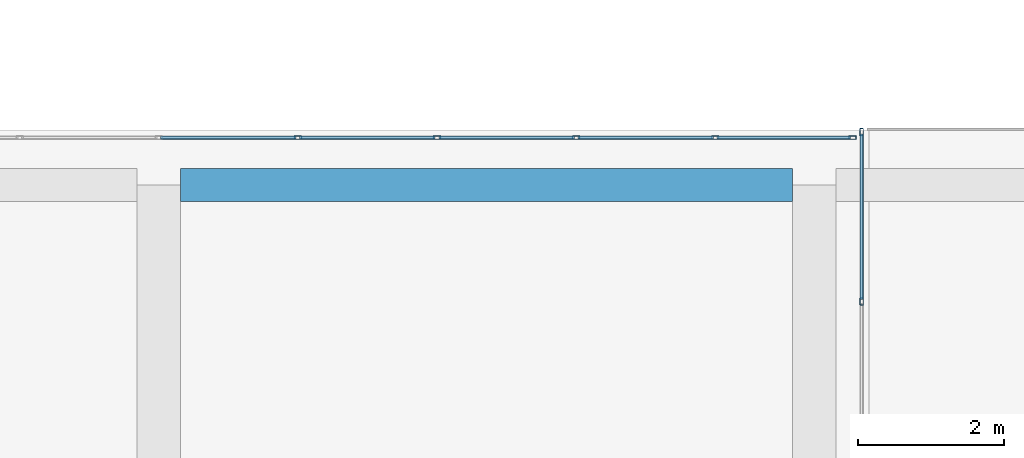
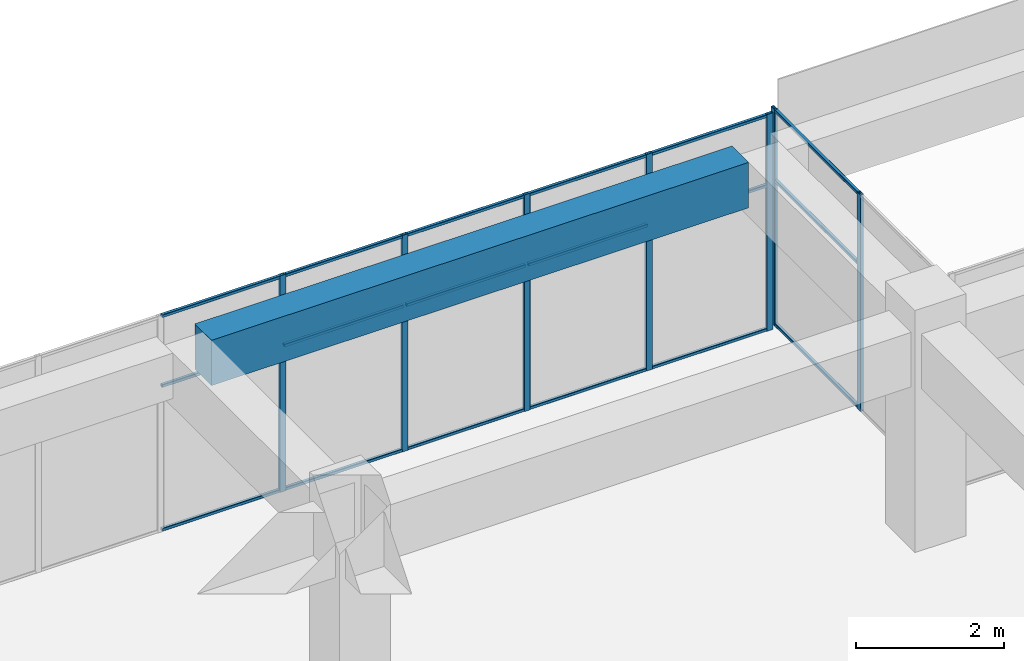
# One storey, part 43 of 72: 25 members, 1 beam, 2 elements without a shape of their own.
"""IFC4 building model written with IfcOpenShell, lengths in metres."""

from ifc_helpers import new_model, si_unit, direction, frame, origin, origin_2d, place, context, subcontext, project, spatial, rectangle, hollow_rectangle, extrude, material, layer, layer_set, material_profile, profile_set, type_object, element, aggregate, save


model = new_model("IFC4")

# Units and contexts
model_context = context("Model", 3, precision=1e-05, world=origin(), true_north=direction((0.0, 1.0)))
body_context = subcontext(model_context, "Body", "Model", "MODEL_VIEW")
ifc_project = project(units=[si_unit("LENGTHUNIT", "METRE"), si_unit("AREAUNIT", "SQUARE_METRE"), si_unit("VOLUMEUNIT", "CUBIC_METRE"), si_unit("PLANEANGLEUNIT", "RADIAN"), si_unit("MASSUNIT", "GRAM", prefix="KILO")], contexts=[model_context])

# Site, building, storey
site_placement = place(None, origin())
site = spatial("IfcSite", under=ifc_project, at=site_placement, CompositionType="ELEMENT")
building_placement = place(site_placement, origin())
building = spatial("IfcBuilding", under=site, at=building_placement, Name="Tuart Plaza Theatre", CompositionType="ELEMENT")
storey_placement = place(building_placement, frame((0.0, 0.0, 13.5)))
storey = spatial("IfcBuildingStorey", under=building, at=storey_placement, Name="L03", CompositionType="ELEMENT", Elevation=13.5)

# Beam
ifc_material_1 = material(Name="Concrete N40 (40 MPa)", Category="concrete")
ifc_material_profile_1 = material_profile(ifc_material_1, rectangle(XDim=0.449951171875, YDim=0.75, at=origin_2d()), Name="BEAM 450x750 Concrete N40 (40 MPa)")
ifc_profile_set_1 = profile_set([ifc_material_profile_1], Name="Concrete N40 (40 MPa)")
beam_type = type_object("IfcBeamType", Name="BEAM 450x750 Concrete N40 (40 MPa)", PredefinedType="BEAM", material=ifc_profile_set_1)
beam_placement = place(storey_placement, frame((123.300048828125, 96.5, 3.205078125), z_axis=(1.0, 0.0, 0.0), x_axis=(0.0, 1.0, 0.0)))
element("IfcBeam", 1, at=beam_placement, inside=storey, type_object=beam_type, Name="RB180", PredefinedType="BEAM", context=body_context, shape_type="SweptSolid", body=[
    extrude(rectangle(XDim=0.449951171875, YDim=0.75, at=origin_2d()), origin(), (0.0, 0.0, 1.0), 8.39990234375),
])

# Curtain wall, members
ifc_material_2 = material(Name="Aluminium and glass", Category="aluminium")
ifc_layer = layer(ifc_material_2, 0.10009765625)
ifc_layer_set = layer_set([ifc_layer], Name="CURTAIN WALL 2000 module")
curtain_wall_type = type_object("IfcCurtainWallType", Name="CURTAIN WALL 2000 module", PredefinedType="NOTDEFINED", material=ifc_layer_set)
curtain_wall_1_placement = place(storey_placement, origin())
curtain_wall_1 = element("IfcCurtainWall", 2, at=curtain_wall_1_placement, inside=storey, type_object=curtain_wall_type, Name="CW71", PredefinedType="NOTDEFINED")
ifc_material_3 = material(Name="Aluminium 6063-T5", Category="aluminium")
ifc_material_profile_2 = material_profile(ifc_material_3, hollow_rectangle(XDim=0.050048828125, YDim=0.10009765625, WallThickness=0.00390625, InnerFilletRadius=0.00390625, OuterFilletRadius=0.008056640625, at=origin_2d()), Name="RHS 100x50x4")
ifc_profile_set_2 = profile_set([ifc_material_profile_2], Name="Aluminium 6063-T5")
member_type_1 = type_object("IfcMemberType", Name="MULLION RHS 100x50x4", PredefinedType="MULLION", material=ifc_profile_set_2)
member_1_placement = place(storey_placement, frame((132.64990234375, 94.89990234375, 0.0), z_axis=(0.0, 0.0, 1.0), x_axis=(-1.0, 0.0, 0.0)))
member_1 = element("IfcMember", 3, at=member_1_placement, type_object=member_type_1, Name="CW71 mullion 2", PredefinedType="MULLION", context=body_context, shape_type="SweptSolid", body=[
    extrude(hollow_rectangle(XDim=0.050048828125, YDim=0.10009765625, WallThickness=0.00390625, InnerFilletRadius=0.00390625, OuterFilletRadius=0.008056640625, at=origin_2d()), origin(), (0.0, 0.0, 1.0), 3.580078125),
])
member_2_placement = place(storey_placement, frame((132.64990234375, 97.22509765625, 0.0), z_axis=(0.0, 0.0, 1.0), x_axis=(-1.0, 0.0, 0.0)))
member_2 = element("IfcMember", 4, at=member_2_placement, type_object=member_type_1, Name="CW71 mullion 3", PredefinedType="MULLION", context=body_context, shape_type="SweptSolid", body=[
    extrude(hollow_rectangle(XDim=0.050048828125, YDim=0.10009765625, WallThickness=0.00390625, InnerFilletRadius=0.00390625, OuterFilletRadius=0.008056640625, at=origin_2d()), origin(), (0.0, 0.0, 1.0), 3.580078125),
])

curtain_wall_2_placement = place(storey_placement, origin())
curtain_wall_2 = element("IfcCurtainWall", 5, at=curtain_wall_2_placement, inside=storey, type_object=curtain_wall_type, Name="CW72", PredefinedType="NOTDEFINED")
member_3_placement = place(storey_placement, frame((132.52490234375, 97.14990234375, 0.0), z_axis=(0.0, 0.0, 1.0), x_axis=(0.0, -1.0, 0.0)))
member_3 = element("IfcMember", 6, at=member_3_placement, type_object=member_type_1, Name="CW72 mullion 1", PredefinedType="MULLION", context=body_context, shape_type="SweptSolid", body=[
    extrude(hollow_rectangle(XDim=0.050048828125, YDim=0.10009765625, WallThickness=0.00390625, InnerFilletRadius=0.00390625, OuterFilletRadius=0.008056640625, at=origin_2d()), origin(), (0.0, 0.0, 1.0), 3.580078125),
])
member_4_placement = place(storey_placement, frame((130.639892578125, 97.14990234375, 0.0), z_axis=(0.0, 0.0, 1.0), x_axis=(0.0, -1.0, 0.0)))
member_4 = element("IfcMember", 7, at=member_4_placement, type_object=member_type_1, Name="CW72 mullion 2", PredefinedType="MULLION", context=body_context, shape_type="SweptSolid", body=[
    extrude(hollow_rectangle(XDim=0.050048828125, YDim=0.10009765625, WallThickness=0.00390625, InnerFilletRadius=0.00390625, OuterFilletRadius=0.008056640625, at=origin_2d()), origin(), (0.0, 0.0, 1.0), 3.580078125),
])
member_5_placement = place(storey_placement, frame((128.72998046875, 97.14990234375, 0.0), z_axis=(0.0, 0.0, 1.0), x_axis=(0.0, -1.0, 0.0)))
member_5 = element("IfcMember", 8, at=member_5_placement, type_object=member_type_1, Name="CW72 mullion 3", PredefinedType="MULLION", context=body_context, shape_type="SweptSolid", body=[
    extrude(hollow_rectangle(XDim=0.050048828125, YDim=0.10009765625, WallThickness=0.00390625, InnerFilletRadius=0.00390625, OuterFilletRadius=0.008056640625, at=origin_2d()), origin(), (0.0, 0.0, 1.0), 3.580078125),
])
member_6_placement = place(storey_placement, frame((126.820068359375, 97.14990234375, 0.0), z_axis=(0.0, 0.0, 1.0), x_axis=(0.0, -1.0, 0.0)))
member_6 = element("IfcMember", 9, at=member_6_placement, type_object=member_type_1, Name="CW72 mullion 4", PredefinedType="MULLION", context=body_context, shape_type="SweptSolid", body=[
    extrude(hollow_rectangle(XDim=0.050048828125, YDim=0.10009765625, WallThickness=0.00390625, InnerFilletRadius=0.00390625, OuterFilletRadius=0.008056640625, at=origin_2d()), origin(), (0.0, 0.0, 1.0), 3.580078125),
])
member_7_placement = place(storey_placement, frame((124.909912109375, 97.14990234375, 0.0), z_axis=(0.0, 0.0, 1.0), x_axis=(0.0, -1.0, 0.0)))
member_7 = element("IfcMember", 10, at=member_7_placement, type_object=member_type_1, Name="CW72 mullion 5", PredefinedType="MULLION", context=body_context, shape_type="SweptSolid", body=[
    extrude(hollow_rectangle(XDim=0.050048828125, YDim=0.10009765625, WallThickness=0.00390625, InnerFilletRadius=0.00390625, OuterFilletRadius=0.008056640625, at=origin_2d()), origin(), (0.0, 0.0, 1.0), 3.580078125),
])

# Member
ifc_material_4 = material(Name="Aluminium 6063-T5", Category="aluminium")
ifc_material_profile_3 = material_profile(ifc_material_4, hollow_rectangle(XDim=0.050048828125, YDim=0.050048828125, WallThickness=0.00390625, InnerFilletRadius=0.00390625, OuterFilletRadius=0.008056640625, at=origin_2d()), Name="RHS 50x50x4")
ifc_profile_set_3 = profile_set([ifc_material_profile_3], Name="Aluminium 6063-T5")
member_type_2 = type_object("IfcMemberType", Name="TRANSOM RHS 50x50x4", PredefinedType="USERDEFINED", material=ifc_profile_set_3)
member_8_placement = place(storey_placement, frame((132.64990234375, 94.925048828125, 0.02490234375), z_axis=(0.0, 1.0, 0.0), x_axis=(-1.0, 0.0, 0.0)))
member_8 = element("IfcMember", 11, at=member_8_placement, type_object=member_type_2, Name="CW71 transom 2.1", ObjectType="TRANSOM", PredefinedType="USERDEFINED", context=body_context, shape_type="SweptSolid", body=[
    extrude(hollow_rectangle(XDim=0.050048828125, YDim=0.050048828125, WallThickness=0.00390625, InnerFilletRadius=0.00390625, OuterFilletRadius=0.008056640625, at=origin_2d()), origin(), (0.0, 0.0, 1.0), 2.27490234375),
])

member_9_placement = place(storey_placement, frame((132.64990234375, 94.925048828125, 2.39990234375), z_axis=(0.0, 1.0, 0.0), x_axis=(-1.0, 0.0, 0.0)))
member_9 = element("IfcMember", 12, at=member_9_placement, type_object=member_type_2, Name="CW71 transom 2.2", ObjectType="TRANSOM", PredefinedType="USERDEFINED", context=body_context, shape_type="SweptSolid", body=[
    extrude(hollow_rectangle(XDim=0.050048828125, YDim=0.050048828125, WallThickness=0.00390625, InnerFilletRadius=0.00390625, OuterFilletRadius=0.008056640625, at=origin_2d()), origin(), (0.0, 0.0, 1.0), 2.27490234375),
])

member_10_placement = place(storey_placement, frame((132.64990234375, 94.925048828125, 3.554931640625), z_axis=(0.0, 1.0, 0.0), x_axis=(-1.0, 0.0, 0.0)))
member_10 = element("IfcMember", 13, at=member_10_placement, type_object=member_type_2, Name="CW71 transom 2.3", ObjectType="TRANSOM", PredefinedType="USERDEFINED", context=body_context, shape_type="SweptSolid", body=[
    extrude(hollow_rectangle(XDim=0.050048828125, YDim=0.050048828125, WallThickness=0.00390625, InnerFilletRadius=0.00390625, OuterFilletRadius=0.008056640625, at=origin_2d()), origin(), (0.0, 0.0, 1.0), 2.27490234375),
])

aggregate(curtain_wall_1, [member_1, member_2, member_8, member_9, member_10])

member_11_placement = place(storey_placement, frame((132.5, 97.14990234375, 0.02490234375), z_axis=(-1.0, 0.0, 0.0), x_axis=(0.0, -1.0, 0.0)))
member_11 = element("IfcMember", 14, at=member_11_placement, type_object=member_type_2, Name="CW72 transom 1.1", ObjectType="TRANSOM", PredefinedType="USERDEFINED", context=body_context, shape_type="SweptSolid", body=[
    extrude(hollow_rectangle(XDim=0.050048828125, YDim=0.050048828125, WallThickness=0.00390625, InnerFilletRadius=0.00390625, OuterFilletRadius=0.008056640625, at=origin_2d()), origin(), (0.0, 0.0, 1.0), 1.8349609375),
])

member_12_placement = place(storey_placement, frame((132.5, 97.14990234375, 2.39990234375), z_axis=(-1.0, 0.0, 0.0), x_axis=(0.0, -1.0, 0.0)))
member_12 = element("IfcMember", 15, at=member_12_placement, type_object=member_type_2, Name="CW72 transom 1.2", ObjectType="TRANSOM", PredefinedType="USERDEFINED", context=body_context, shape_type="SweptSolid", body=[
    extrude(hollow_rectangle(XDim=0.050048828125, YDim=0.050048828125, WallThickness=0.00390625, InnerFilletRadius=0.00390625, OuterFilletRadius=0.008056640625, at=origin_2d()), origin(), (0.0, 0.0, 1.0), 1.8349609375),
])

member_13_placement = place(storey_placement, frame((132.5, 97.14990234375, 3.554931640625), z_axis=(-1.0, 0.0, 0.0), x_axis=(0.0, -1.0, 0.0)))
member_13 = element("IfcMember", 16, at=member_13_placement, type_object=member_type_2, Name="CW72 transom 1.3", ObjectType="TRANSOM", PredefinedType="USERDEFINED", context=body_context, shape_type="SweptSolid", body=[
    extrude(hollow_rectangle(XDim=0.050048828125, YDim=0.050048828125, WallThickness=0.00390625, InnerFilletRadius=0.00390625, OuterFilletRadius=0.008056640625, at=origin_2d()), origin(), (0.0, 0.0, 1.0), 1.8349609375),
])

member_14_placement = place(storey_placement, frame((130.614990234375, 97.14990234375, 0.02490234375), z_axis=(-1.0, 0.0, 0.0), x_axis=(0.0, -1.0, 0.0)))
member_14 = element("IfcMember", 17, at=member_14_placement, type_object=member_type_2, Name="CW72 transom 2.1", ObjectType="TRANSOM", PredefinedType="USERDEFINED", context=body_context, shape_type="SweptSolid", body=[
    extrude(hollow_rectangle(XDim=0.050048828125, YDim=0.050048828125, WallThickness=0.00390625, InnerFilletRadius=0.00390625, OuterFilletRadius=0.008056640625, at=origin_2d()), origin(), (0.0, 0.0, 1.0), 1.860107421875),
])

member_15_placement = place(storey_placement, frame((130.614990234375, 97.14990234375, 2.39990234375), z_axis=(-1.0, 0.0, 0.0), x_axis=(0.0, -1.0, 0.0)))
member_15 = element("IfcMember", 18, at=member_15_placement, type_object=member_type_2, Name="CW72 transom 2.2", ObjectType="TRANSOM", PredefinedType="USERDEFINED", context=body_context, shape_type="SweptSolid", body=[
    extrude(hollow_rectangle(XDim=0.050048828125, YDim=0.050048828125, WallThickness=0.00390625, InnerFilletRadius=0.00390625, OuterFilletRadius=0.008056640625, at=origin_2d()), origin(), (0.0, 0.0, 1.0), 1.860107421875),
])

member_16_placement = place(storey_placement, frame((130.614990234375, 97.14990234375, 3.554931640625), z_axis=(-1.0, 0.0, 0.0), x_axis=(0.0, -1.0, 0.0)))
member_16 = element("IfcMember", 19, at=member_16_placement, type_object=member_type_2, Name="CW72 transom 2.3", ObjectType="TRANSOM", PredefinedType="USERDEFINED", context=body_context, shape_type="SweptSolid", body=[
    extrude(hollow_rectangle(XDim=0.050048828125, YDim=0.050048828125, WallThickness=0.00390625, InnerFilletRadius=0.00390625, OuterFilletRadius=0.008056640625, at=origin_2d()), origin(), (0.0, 0.0, 1.0), 1.860107421875),
])

member_17_placement = place(storey_placement, frame((128.705078125, 97.14990234375, 0.02490234375), z_axis=(-1.0, 0.0, 0.0), x_axis=(0.0, -1.0, 0.0)))
member_17 = element("IfcMember", 20, at=member_17_placement, type_object=member_type_2, Name="CW72 transom 3.1", ObjectType="TRANSOM", PredefinedType="USERDEFINED", context=body_context, shape_type="SweptSolid", body=[
    extrude(hollow_rectangle(XDim=0.050048828125, YDim=0.050048828125, WallThickness=0.00390625, InnerFilletRadius=0.00390625, OuterFilletRadius=0.008056640625, at=origin_2d()), origin(), (0.0, 0.0, 1.0), 1.860107421875),
])

member_18_placement = place(storey_placement, frame((128.705078125, 97.14990234375, 2.39990234375), z_axis=(-1.0, 0.0, 0.0), x_axis=(0.0, -1.0, 0.0)))
member_18 = element("IfcMember", 21, at=member_18_placement, type_object=member_type_2, Name="CW72 transom 3.2", ObjectType="TRANSOM", PredefinedType="USERDEFINED", context=body_context, shape_type="SweptSolid", body=[
    extrude(hollow_rectangle(XDim=0.050048828125, YDim=0.050048828125, WallThickness=0.00390625, InnerFilletRadius=0.00390625, OuterFilletRadius=0.008056640625, at=origin_2d()), origin(), (0.0, 0.0, 1.0), 1.860107421875),
])

member_19_placement = place(storey_placement, frame((128.705078125, 97.14990234375, 3.554931640625), z_axis=(-1.0, 0.0, 0.0), x_axis=(0.0, -1.0, 0.0)))
member_19 = element("IfcMember", 22, at=member_19_placement, type_object=member_type_2, Name="CW72 transom 3.3", ObjectType="TRANSOM", PredefinedType="USERDEFINED", context=body_context, shape_type="SweptSolid", body=[
    extrude(hollow_rectangle(XDim=0.050048828125, YDim=0.050048828125, WallThickness=0.00390625, InnerFilletRadius=0.00390625, OuterFilletRadius=0.008056640625, at=origin_2d()), origin(), (0.0, 0.0, 1.0), 1.860107421875),
])

member_20_placement = place(storey_placement, frame((126.794921875, 97.14990234375, 0.02490234375), z_axis=(-1.0, 0.0, 0.0), x_axis=(0.0, -1.0, 0.0)))
member_20 = element("IfcMember", 23, at=member_20_placement, type_object=member_type_2, Name="CW72 transom 4.1", ObjectType="TRANSOM", PredefinedType="USERDEFINED", context=body_context, shape_type="SweptSolid", body=[
    extrude(hollow_rectangle(XDim=0.050048828125, YDim=0.050048828125, WallThickness=0.00390625, InnerFilletRadius=0.00390625, OuterFilletRadius=0.008056640625, at=origin_2d()), origin(), (0.0, 0.0, 1.0), 1.85986328125),
])

member_21_placement = place(storey_placement, frame((126.794921875, 97.14990234375, 2.39990234375), z_axis=(-1.0, 0.0, 0.0), x_axis=(0.0, -1.0, 0.0)))
member_21 = element("IfcMember", 24, at=member_21_placement, type_object=member_type_2, Name="CW72 transom 4.2", ObjectType="TRANSOM", PredefinedType="USERDEFINED", context=body_context, shape_type="SweptSolid", body=[
    extrude(hollow_rectangle(XDim=0.050048828125, YDim=0.050048828125, WallThickness=0.00390625, InnerFilletRadius=0.00390625, OuterFilletRadius=0.008056640625, at=origin_2d()), origin(), (0.0, 0.0, 1.0), 1.85986328125),
])

member_22_placement = place(storey_placement, frame((126.794921875, 97.14990234375, 3.554931640625), z_axis=(-1.0, 0.0, 0.0), x_axis=(0.0, -1.0, 0.0)))
member_22 = element("IfcMember", 25, at=member_22_placement, type_object=member_type_2, Name="CW72 transom 4.3", ObjectType="TRANSOM", PredefinedType="USERDEFINED", context=body_context, shape_type="SweptSolid", body=[
    extrude(hollow_rectangle(XDim=0.050048828125, YDim=0.050048828125, WallThickness=0.00390625, InnerFilletRadius=0.00390625, OuterFilletRadius=0.008056640625, at=origin_2d()), origin(), (0.0, 0.0, 1.0), 1.85986328125),
])

member_23_placement = place(storey_placement, frame((124.885009765625, 97.14990234375, 0.02490234375), z_axis=(-1.0, 0.0, 0.0), x_axis=(0.0, -1.0, 0.0)))
member_23 = element("IfcMember", 26, at=member_23_placement, type_object=member_type_2, Name="CW72 transom 5.1", ObjectType="TRANSOM", PredefinedType="USERDEFINED", context=body_context, shape_type="SweptSolid", body=[
    extrude(hollow_rectangle(XDim=0.050048828125, YDim=0.050048828125, WallThickness=0.00390625, InnerFilletRadius=0.00390625, OuterFilletRadius=0.008056640625, at=origin_2d()), origin(), (0.0, 0.0, 1.0), 1.860107421875),
])

member_24_placement = place(storey_placement, frame((124.885009765625, 97.14990234375, 2.39990234375), z_axis=(-1.0, 0.0, 0.0), x_axis=(0.0, -1.0, 0.0)))
member_24 = element("IfcMember", 27, at=member_24_placement, type_object=member_type_2, Name="CW72 transom 5.2", ObjectType="TRANSOM", PredefinedType="USERDEFINED", context=body_context, shape_type="SweptSolid", body=[
    extrude(hollow_rectangle(XDim=0.050048828125, YDim=0.050048828125, WallThickness=0.00390625, InnerFilletRadius=0.00390625, OuterFilletRadius=0.008056640625, at=origin_2d()), origin(), (0.0, 0.0, 1.0), 1.860107421875),
])

member_25_placement = place(storey_placement, frame((124.885009765625, 97.14990234375, 3.554931640625), z_axis=(-1.0, 0.0, 0.0), x_axis=(0.0, -1.0, 0.0)))
member_25 = element("IfcMember", 28, at=member_25_placement, type_object=member_type_2, Name="CW72 transom 5.3", ObjectType="TRANSOM", PredefinedType="USERDEFINED", context=body_context, shape_type="SweptSolid", body=[
    extrude(hollow_rectangle(XDim=0.050048828125, YDim=0.050048828125, WallThickness=0.00390625, InnerFilletRadius=0.00390625, OuterFilletRadius=0.008056640625, at=origin_2d()), origin(), (0.0, 0.0, 1.0), 1.860107421875),
])

aggregate(curtain_wall_2, [member_3, member_4, member_5, member_6, member_7, member_11, member_12, member_13, member_14, member_15, member_16, member_17, member_18, member_19, member_20, member_21, member_22, member_23, member_24, member_25])

save(model, "model.ifc")
